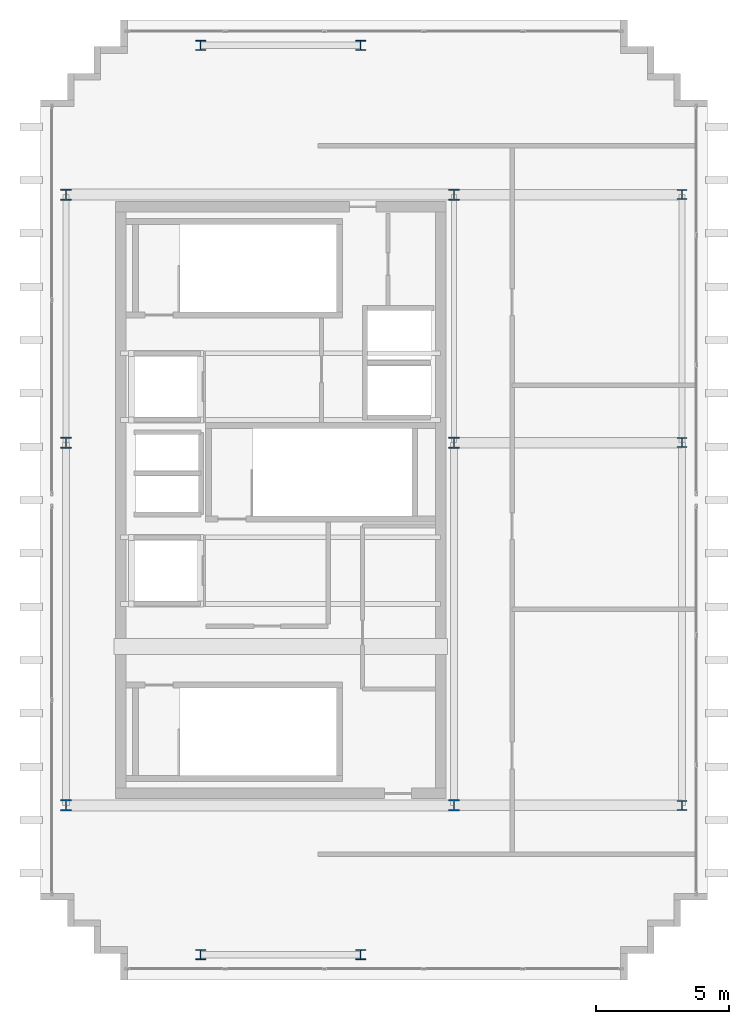
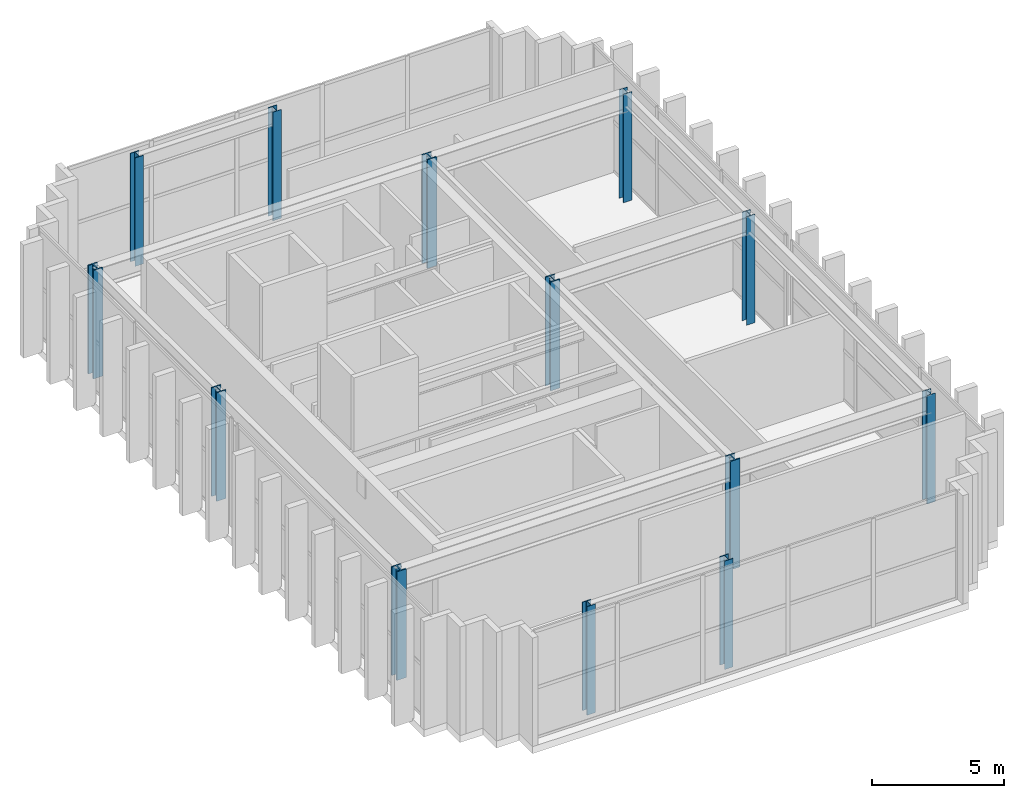
# One storey, part 1 of 14: 13 columns.
"""IFC4 building model written with IfcOpenShell, lengths in metres."""

import ifcopenshell
import ifcopenshell.guid

model = None  # the IFC model being written
_history = None  # IfcOwnerHistory: only IFC2X3 demands one
_inside = {}  # id of a spatial element -> (the spatial element, [elements in it])
_under = {}  # id of a project, library or spatial element -> (it, [spatial elements below it])
_declared = {}  # id of a project -> (the project, [libraries it declares])
_typed = {}  # id of a type object -> (the type object, [elements of that type])
_made_of = {}  # id of a material, layer set ... -> (it, [elements and type objects made of it])


def new_model(schema):
    """Start an empty IFC model of exactly this schema.

    Asked for "IFC4X3", IfcOpenShell would pick the latest addendum, in which some entities
    have other attributes; the version numbers below select the first issue.
    IFC2X3 requires an IfcOwnerHistory on every rooted entity: one is made here for all.
    """
    global model, _history
    if schema == "IFC4X3":
        model = ifcopenshell.file(schema_version=(4, 3, 0, 0))
    else:
        model = ifcopenshell.file(schema=schema)
    _inside.clear()
    _under.clear()
    _declared.clear()
    _typed.clear()
    _made_of.clear()
    _history = None
    if model.schema == "IFC2X3":
        org = make("IfcOrganization", Name="unknown")
        user = make(
            "IfcPersonAndOrganization",
            ThePerson=make("IfcPerson", FamilyName="unknown"),
            TheOrganization=org,
        )
        app = make(
            "IfcApplication",
            ApplicationDeveloper=org,
            Version="unknown",
            ApplicationFullName="unknown",
            ApplicationIdentifier="unknown",
        )
        _history = make(
            "IfcOwnerHistory",
            OwningUser=user,
            OwningApplication=app,
            ChangeAction="ADDED",
            CreationDate=0,
        )
    return model


def make(cls, **values):
    """One entity of the class cls with the attributes given. An attribute that is None is left unset."""
    return model.create_entity(
        cls, **{name: value for name, value in values.items() if value is not None}
    )


def rooted(cls, **values):
    """An entity with a GlobalId (a new one), such as an element, a storey or a relation."""
    return make(cls, GlobalId=ifcopenshell.guid.new(), OwnerHistory=_history, **values)


def si_unit(unit_type, name, prefix=None):
    """IfcSIUnit, for example si_unit("LENGTHUNIT", "METRE", prefix="MILLI")."""
    return make("IfcSIUnit", UnitType=unit_type, Prefix=prefix, Name=name)


def assignment(units):
    """IfcUnitAssignment: the units of a project."""
    return None if units is None else make("IfcUnitAssignment", Units=units)


def point(xyz):
    """IfcCartesianPoint."""
    return None if xyz is None else make("IfcCartesianPoint", Coordinates=xyz)


def direction(xyz):
    """IfcDirection."""
    return None if xyz is None else make("IfcDirection", DirectionRatios=xyz)


def frame(location, z_axis=None, x_axis=None):
    """IfcAxis2Placement3D, a coordinate frame: its origin and axes. An axis left out is left unset."""
    return make(
        "IfcAxis2Placement3D",
        Location=point(location),
        Axis=direction(z_axis),
        RefDirection=direction(x_axis),
    )


def frame_2d(location, x_axis=None):
    """IfcAxis2Placement2D, a coordinate frame in the plane: its origin and x axis."""
    return make(
        "IfcAxis2Placement2D", Location=point(location), RefDirection=direction(x_axis)
    )


def origin():
    """The frame at (0, 0, 0) with its axes left unset."""
    return frame((0.0, 0.0, 0.0))


def origin_2d():
    """The frame at (0, 0) in the plane with its x axis left unset."""
    return frame_2d((0.0, 0.0))


def place(relative_to, where):
    """IfcLocalPlacement: puts the frame where relative to a parent placement (None: the world)."""
    return make(
        "IfcLocalPlacement", PlacementRelTo=relative_to, RelativePlacement=where
    )


def context(
    kind, dimensions, precision=None, world=None, true_north=None, identifier=None
):
    """IfcGeometricRepresentationContext, for example the 3D "Model" context."""
    return make(
        "IfcGeometricRepresentationContext",
        ContextIdentifier=identifier,
        ContextType=kind,
        CoordinateSpaceDimension=dimensions,
        Precision=precision,
        WorldCoordinateSystem=world,
        TrueNorth=true_north,
    )


def subcontext(parent, identifier, kind, view, scale=None):
    """IfcGeometricRepresentationSubContext, for example "Body" below "Model"."""
    return make(
        "IfcGeometricRepresentationSubContext",
        ContextIdentifier=identifier,
        ContextType=kind,
        ParentContext=parent,
        TargetScale=scale,
        TargetView=view,
    )


def project(units=None, contexts=None):
    """IfcProject with its units and contexts."""
    return rooted(
        "IfcProject",
        Name="project",
        RepresentationContexts=contexts,
        UnitsInContext=assignment(units),
    )


def spatial(cls, under=None, at=None, **own):
    """A site, building, storey or space (cls), placed at a placement, below another one or the project."""
    s = rooted(cls, ObjectPlacement=at, **own)
    if under is not None:
        _under.setdefault(under.id(), (under, []))[1].append(s)
    return s


def profile(cls, at=None, kind="AREA", **sizes):
    """A parametric profile (cls). Its sizes go by their IFC names, for example OverallWidth=200.0."""
    return make(cls, ProfileType=kind, Position=at, **sizes)


def i_section(**sizes):
    """IfcIShapeProfileDef."""
    return profile("IfcIShapeProfileDef", **sizes)


def extrude(swept, where, along, depth):
    """IfcExtrudedAreaSolid: the profile swept, set in the frame where, extruded along a direction by depth."""
    return make(
        "IfcExtrudedAreaSolid",
        SweptArea=swept,
        Position=where,
        ExtrudedDirection=direction(along),
        Depth=depth,
    )


def shape(context_of_items, identifier, shape_type, items):
    """IfcShapeRepresentation: the items that make up one representation, for example the "Body"."""
    return make(
        "IfcShapeRepresentation",
        ContextOfItems=context_of_items,
        RepresentationIdentifier=identifier,
        RepresentationType=shape_type,
        Items=items,
    )


def source(mapping_origin, context_of_items, identifier, shape_type, items):
    """IfcRepresentationMap: a shape defined once, which mapped items show again and again."""
    return make(
        "IfcRepresentationMap",
        MappingOrigin=mapping_origin,
        MappedRepresentation=shape(context_of_items, identifier, shape_type, items),
    )


def transform(
    local_origin,
    x_axis=None,
    y_axis=None,
    z_axis=None,
    scale=None,
    scale2=None,
    scale3=None,
    uniform=True,
):
    """IfcCartesianTransformationOperator3D, or its non-uniform kind. x_axis, y_axis, z_axis: its Axis1, 2, 3."""
    if uniform:
        return make(
            "IfcCartesianTransformationOperator3D",
            Axis1=direction(x_axis),
            Axis2=direction(y_axis),
            LocalOrigin=point(local_origin),
            Scale=scale,
            Axis3=direction(z_axis),
        )
    return make(
        "IfcCartesianTransformationOperator3DnonUniform",
        Axis1=direction(x_axis),
        Axis2=direction(y_axis),
        LocalOrigin=point(local_origin),
        Scale=scale,
        Axis3=direction(z_axis),
        Scale2=scale2,
        Scale3=scale3,
    )


def mapped(mapping_source, mapping_target):
    """IfcMappedItem: shows the shape of a source again, moved by a transform."""
    return make(
        "IfcMappedItem", MappingSource=mapping_source, MappingTarget=mapping_target
    )


def material(Name=None, Category=None):
    """IfcMaterial."""
    return make("IfcMaterial", Name=Name, Category=Category)


def material_profile(
    of_material, cross_section, Name=None, Category=None, Priority=None
):
    """IfcMaterialProfile: a cross section and its material."""
    return make(
        "IfcMaterialProfile",
        Name=Name,
        Material=of_material,
        Profile=cross_section,
        Priority=Priority,
        Category=Category,
    )


def profile_set(profiles, Name=None, composite=None):
    """IfcMaterialProfileSet."""
    return make(
        "IfcMaterialProfileSet",
        Name=Name,
        MaterialProfiles=profiles,
        CompositeProfile=composite,
    )


def made_of(thing, what):
    """Note that an element or type object is made of a material, layer set ...; save() writes the relation."""
    if what is not None:
        _made_of.setdefault(what.id(), (what, []))[1].append(thing)
    return thing


def type_object(cls, material=None, **own):
    """A type object (cls), such as IfcWallType, which elements share."""
    return made_of(rooted(cls, **own), material)


def element(
    cls,
    number,
    at=None,
    inside=None,
    cuts=None,
    type_object=None,
    material=None,
    context=None,
    identifier="Body",
    shape_type=None,
    held_by="IfcProductDefinitionShape",
    body=None,
    shapes=None,
    **own,
):
    """One element of the class cls, such as IfcWall. Its Tag is "e" and its number.

    at: its placement. inside: the storey or other place that contains it. cuts: it is an
    opening in that element (IfcRelVoidsElement). A single representation is given by context,
    identifier, shape_type and body (its items); several are given by shapes. held_by: the class
    of the entity that holds the representations. save() writes the other relations.
    """
    e = rooted(cls, Tag="e%d" % number, ObjectPlacement=at, **own)
    if body is not None:
        shapes = [shape(context, identifier, shape_type, body)]
    if shapes is not None:
        e.Representation = make(held_by, Representations=shapes)
    if inside is not None:
        _inside.setdefault(inside.id(), (inside, []))[1].append(e)
    if cuts is not None:
        rooted(
            "IfcRelVoidsElement", RelatingBuildingElement=cuts, RelatedOpeningElement=e
        )
    if type_object is not None:
        _typed.setdefault(type_object.id(), (type_object, []))[1].append(e)
    return made_of(e, material)


def aggregate(whole, parts):
    """IfcRelAggregates: a whole, such as a stair, and the parts it consists of."""
    return rooted("IfcRelAggregates", RelatingObject=whole, RelatedObjects=parts)


def save(model, path):
    """Write the relations noted so far, then the file.

    IfcRelAggregates (storeys below a building ...), IfcRelContainedInSpatialStructure (elements
    in a storey), IfcRelDefinesByType, IfcRelAssociatesMaterial and IfcRelDeclares: one each for
    every whole, place, type object, material and project.
    """
    for whole, parts in _under.values():
        aggregate(whole, parts)
    for where, things in _inside.values():
        rooted(
            "IfcRelContainedInSpatialStructure",
            RelatedElements=things,
            RelatingStructure=where,
        )
    for kind, things in _typed.values():
        rooted("IfcRelDefinesByType", RelatedObjects=things, RelatingType=kind)
    for what, things in _made_of.values():
        rooted("IfcRelAssociatesMaterial", RelatedObjects=things, RelatingMaterial=what)
    for by, libraries in _declared.values():
        rooted("IfcRelDeclares", RelatingContext=by, RelatedDefinitions=libraries)
    model.write(path)


model = new_model("IFC4")

# Units and contexts
model_context = context("Model", 3, precision=1e-05, world=origin(), true_north=direction((0.0, 1.0)))
body_context = subcontext(model_context, "Body", "Model", "MODEL_VIEW")
ifc_project = project(units=[si_unit("LENGTHUNIT", "METRE"), si_unit("AREAUNIT", "SQUARE_METRE"), si_unit("VOLUMEUNIT", "CUBIC_METRE"), si_unit("PLANEANGLEUNIT", "RADIAN"), si_unit("MASSUNIT", "GRAM", prefix="KILO")], contexts=[model_context])

# Site, building, storey
site_placement = place(None, origin())
site = spatial("IfcSite", under=ifc_project, at=site_placement, CompositionType="ELEMENT")
building_placement = place(site_placement, origin())
building = spatial("IfcBuilding", under=site, at=building_placement, Name="Ocotamira Hotel", CompositionType="ELEMENT")
storey_placement = place(building_placement, frame((0.0, 0.0, 309.60009765625)))
storey = spatial("IfcBuildingStorey", under=building, at=storey_placement, Name="L79", CompositionType="ELEMENT", Elevation=309.60009765625)

# Columns
ifc_material_1 = material(Name="Steel ASTM A913 Grade 65", Category="steel")
ifc_material_profile_1 = material_profile(ifc_material_1, i_section(OverallWidth=0.412109375, OverallDepth=0.43505859375, WebThickness=0.035888671875, FlangeThickness=0.057373046875, FilletRadius=0.02490234375, at=origin_2d()), Name="W14X311")
ifc_profile_set_1 = profile_set([ifc_material_profile_1], Name="Steel ASTM A913 Grade 65")
column_type_1 = type_object("IfcColumnType", Name="COL-W14X311", PredefinedType="COLUMN", material=ifc_profile_set_1)
shared_shape_1 = source(origin(), body_context, "Body", "SweptSolid", [
    extrude(i_section(OverallWidth=0.412109375, OverallDepth=0.43505859375, WebThickness=0.035888671875, FlangeThickness=0.057373046875, FilletRadius=0.02490234375, at=origin_2d()), origin(), (0.0, 0.0, 1.0), 5.0),
])
for number, where, z_axis, x_axis, name in (
    (1, (8.949951171875, 14.550048828125, 0.0), (0.0, 0.0, 1.0), (1.0, 0.0, 0.0), "L79 Column TW8_14"),
    (2, (23.5, 14.550048828125, 0.0), (0.0, 0.0, 1.0), (1.0, 0.0, 0.0), "L79 Column TW23_14"),
    (3, (8.949951171875, 28.14990234375, 0.0), (0.0, 0.0, 1.0), (1.0, 0.0, 0.0), "L79 Column TW8_28"),
    (4, (23.5, 28.14990234375, 0.0), (0.0, 0.0, 1.0), (1.0, 0.0, 0.0), "L79 Column TW23_28"),
    (5, (8.949951171875, 37.449951171875, 0.0), (0.0, 0.0, 1.0), (1.0, 0.0, 0.0), "L79 Column TW8_37"),
    (6, (23.5, 37.449951171875, 0.0), (0.0, 0.0, 1.0), (1.0, 0.0, 0.0), "L79 Column TW23_37"),
):
    element("IfcColumn", number, at=place(storey_placement, frame(where, z_axis=z_axis, x_axis=x_axis)), inside=storey, type_object=column_type_1, Name=name, PredefinedType="COLUMN", context=body_context, shape_type="MappedRepresentation", body=[
        mapped(shared_shape_1, transform((0.0, 0.0, 0.0), scale=1.0)),
    ])
ifc_material_2 = material(Name="Steel ASTM A992 Grade 50", Category="steel")
ifc_material_profile_2 = material_profile(ifc_material_2, i_section(OverallWidth=0.3740234375, OverallDepth=0.373046875, WebThickness=0.016357421875, FlangeThickness=0.026123046875, FilletRadius=0.02490234375, at=origin_2d()), Name="W14X132")
ifc_profile_set_2 = profile_set([ifc_material_profile_2], Name="Steel ASTM A992 Grade 50")
column_type_2 = type_object("IfcColumnType", Name="COL-W14X132", PredefinedType="COLUMN", material=ifc_profile_set_2)
shared_shape_2 = source(origin(), body_context, "Body", "SweptSolid", [
    extrude(i_section(OverallWidth=0.3740234375, OverallDepth=0.373046875, WebThickness=0.016357421875, FlangeThickness=0.026123046875, FilletRadius=0.02490234375, at=origin_2d()), origin(), (0.0, 0.0, 1.0), 5.0),
])
for number, where, z_axis, x_axis, name in (
    (7, (14.0, 8.949951171875, 0.0), (0.0, 0.0, 1.0), (1.0, 0.0, 0.0), "L79 Column NSP1_14"),
    (8, (20.0, 8.949951171875, 0.0), (0.0, 0.0, 1.0), (1.0, 0.0, 0.0), "L79 Column NSP1_20"),
    (9, (14.0, 43.050048828125, 0.0), (0.0, 0.0, 1.0), (1.0, 0.0, 0.0), "L79 Column NSP2_14"),
    (10, (20.0, 43.050048828125, 0.0), (0.0, 0.0, 1.0), (1.0, 0.0, 0.0), "L79 Column NSP2_20"),
):
    element("IfcColumn", number, at=place(storey_placement, frame(where, z_axis=z_axis, x_axis=x_axis)), inside=storey, type_object=column_type_2, Name=name, PredefinedType="COLUMN", context=body_context, shape_type="MappedRepresentation", body=[
        mapped(shared_shape_2, transform((0.0, 0.0, 0.0), scale=1.0)),
    ])
ifc_material_profile_3 = material_profile(ifc_material_2, i_section(OverallWidth=0.368896484375, OverallDepth=0.35595703125, WebThickness=0.01123046875, FlangeThickness=0.01806640625, FilletRadius=0.02490234375, at=origin_2d()), Name="W14X90")
ifc_profile_set_3 = profile_set([ifc_material_profile_3], Name="Steel ASTM A992 Grade 50")
column_type_3 = type_object("IfcColumnType", Name="COL-W14X90", PredefinedType="COLUMN", material=ifc_profile_set_3)
shared_shape_3 = source(origin(), body_context, "Body", "SweptSolid", [
    extrude(i_section(OverallWidth=0.368896484375, OverallDepth=0.35595703125, WebThickness=0.01123046875, FlangeThickness=0.01806640625, FilletRadius=0.02490234375, at=origin_2d()), origin(), (0.0, 0.0, 1.0), 5.0),
])
for number, where, z_axis, x_axis, name in (
    (11, (32.050048828125, 14.550048828125, 0.0), (0.0, 0.0, 1.0), (1.0, 0.0, 0.0), "L79 Column WPE32_14"),
    (12, (32.050048828125, 28.14990234375, 0.0), (0.0, 0.0, 1.0), (1.0, 0.0, 0.0), "L79 Column WPE32_28"),
    (13, (32.050048828125, 37.449951171875, 0.0), (0.0, 0.0, 1.0), (1.0, 0.0, 0.0), "L79 Column WPE32_37"),
):
    element("IfcColumn", number, at=place(storey_placement, frame(where, z_axis=z_axis, x_axis=x_axis)), inside=storey, type_object=column_type_3, Name=name, PredefinedType="COLUMN", context=body_context, shape_type="MappedRepresentation", body=[
        mapped(shared_shape_3, transform((0.0, 0.0, 0.0), scale=1.0)),
    ])

save(model, "model.ifc")
